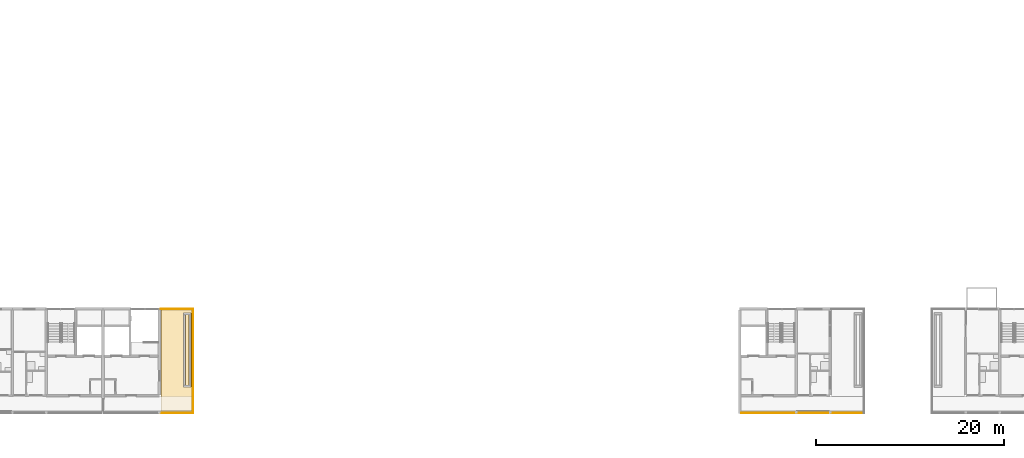
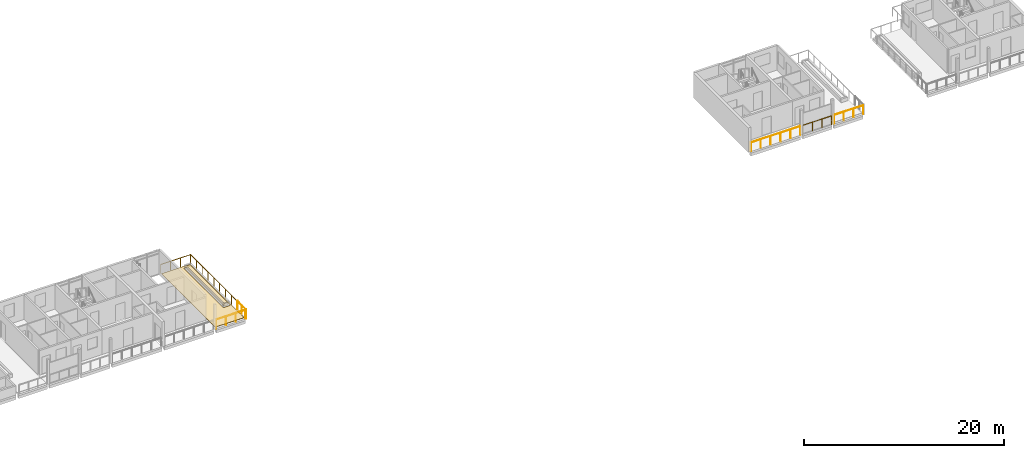
# One storey, part 34 of 41: 6 railings, 3 coverings.
"""IFC4 building model written with IfcOpenShell, lengths in metres."""

from ifc_helpers import new_model, si_unit, direction, frame, origin, origin_2d, place, context, subcontext, project, spatial, polyline, circle, outline, extrude, material, layer, layer_set, type_object, element, save


model = new_model("IFC4")

# Units and contexts
model_context = context("Model", 3, precision=1e-05, world=origin(), true_north=direction((0.0, 1.0)))
body_context = subcontext(model_context, "Body", "Model", "MODEL_VIEW")
ifc_project = project(units=[si_unit("LENGTHUNIT", "METRE"), si_unit("AREAUNIT", "SQUARE_METRE"), si_unit("VOLUMEUNIT", "CUBIC_METRE"), si_unit("PLANEANGLEUNIT", "RADIAN"), si_unit("MASSUNIT", "GRAM", prefix="KILO")], contexts=[model_context])

# Site, building, storey
site_placement = place(None, origin())
site = spatial("IfcSite", under=ifc_project, at=site_placement, CompositionType="ELEMENT")
building_placement = place(site_placement, origin())
building = spatial("IfcBuilding", under=site, at=building_placement, Name="Ridgestep Commons", CompositionType="ELEMENT")
storey_placement = place(building_placement, frame((0.0, 0.0, 39.0)))
storey = spatial("IfcBuildingStorey", under=building, at=storey_placement, Name="L13", CompositionType="ELEMENT", Elevation=39.0)

# Railings
ifc_material_1 = material(Name="Structural steel S355JR", Category="steel")
railing_type = type_object("IfcRailingType", Name="Guard 1100", PredefinedType="GUARDRAIL", material=ifc_material_1)
railing_1_placement = place(storey_placement, frame((105.5791015625, 13.571044921875, 0.0)))
element("IfcRailing", 1, at=railing_1_placement, inside=storey, type_object=railing_type, Name="Guard TD-A6R3-GD", PredefinedType="GUARDRAIL", context=body_context, shape_type="SweptSolid", body=[
    extrude(circle(Radius=0.02392578125, at=origin_2d()), frame((0.0, 0.0, 1.076171875), z_axis=(0.0, 1.0, 0.0), x_axis=(-1.0, 0.0, 0.0)), (0.0, 0.0, 1.0), 9.303955078125),
    extrude(circle(Radius=0.02392578125, at=origin_2d()), frame((0.0, 9.303955078125, 1.076171875), z_axis=(-1.0, 0.0, 0.0), x_axis=(0.0, -1.0, 0.0)), (0.0, 0.0, 1.0), 3.43310546875),
    extrude(circle(Radius=0.02099609375, at=origin_2d()), origin(), (0.0, 0.0, 1.0), 1.052001953125),
    extrude(circle(Radius=0.02099609375, at=origin_2d()), frame((0.0, 1.1630859375, 0.0)), (0.0, 0.0, 1.0), 1.052001953125),
    extrude(circle(Radius=0.02099609375, at=origin_2d()), frame((0.0, 2.325927734375, 0.0)), (0.0, 0.0, 1.0), 1.052001953125),
    extrude(circle(Radius=0.02099609375, at=origin_2d()), frame((0.0, 3.489013671875, 0.0)), (0.0, 0.0, 1.0), 1.052001953125),
    extrude(circle(Radius=0.02099609375, at=origin_2d()), frame((0.0, 4.65185546875, 0.0)), (0.0, 0.0, 1.0), 1.052001953125),
    extrude(circle(Radius=0.02099609375, at=origin_2d()), frame((0.0, 5.81494140625, 0.0)), (0.0, 0.0, 1.0), 1.052001953125),
    extrude(circle(Radius=0.02099609375, at=origin_2d()), frame((0.0, 6.97802734375, 0.0)), (0.0, 0.0, 1.0), 1.052001953125),
    extrude(circle(Radius=0.02099609375, at=origin_2d()), frame((0.0, 8.140869140625, 0.0)), (0.0, 0.0, 1.0), 1.052001953125),
    extrude(circle(Radius=0.02099609375, at=origin_2d()), frame((0.0, 9.303955078125, 0.0)), (0.0, 0.0, 1.0), 1.052001953125),
    extrude(circle(Radius=0.02099609375, at=origin_2d()), frame((-1.144287109375, 9.303955078125, 0.0)), (0.0, 0.0, 1.0), 1.052001953125),
    extrude(circle(Radius=0.02099609375, at=origin_2d()), frame((-2.288818359375, 9.303955078125, 0.0)), (0.0, 0.0, 1.0), 1.052001953125),
    extrude(circle(Radius=0.02099609375, at=origin_2d()), frame((-3.43310546875, 9.303955078125, 0.0)), (0.0, 0.0, 1.0), 1.052001953125),
])
railing_2_placement = place(storey_placement, frame((102.14599609375, 11.800048828125, 0.0)))
element("IfcRailing", 2, at=railing_2_placement, inside=storey, type_object=railing_type, Name="Gallery guard A 13.7", PredefinedType="GUARDRAIL", context=body_context, shape_type="SweptSolid", body=[
    extrude(circle(Radius=0.02392578125, at=origin_2d()), frame((0.0, 0.0, 1.076171875), z_axis=(1.0, 0.0, 0.0), x_axis=(0.0, 1.0, 0.0)), (0.0, 0.0, 1.0), 3.3701171875),
    extrude(circle(Radius=0.02099609375, at=origin_2d()), origin(), (0.0, 0.0, 1.0), 1.052001953125),
    extrude(circle(Radius=0.02099609375, at=origin_2d()), frame((1.123291015625, 0.0, 0.0)), (0.0, 0.0, 1.0), 1.052001953125),
    extrude(circle(Radius=0.02099609375, at=origin_2d()), frame((2.246826171875, 0.0, 0.0)), (0.0, 0.0, 1.0), 1.052001953125),
    extrude(circle(Radius=0.02099609375, at=origin_2d()), frame((3.3701171875, 0.0, 0.0)), (0.0, 0.0, 1.0), 1.052001953125),
])
railing_3_placement = place(storey_placement, frame((105.5791015625, 11.800048828125, 0.0)))
element("IfcRailing", 3, at=railing_3_placement, inside=storey, type_object=railing_type, Name="Gallery end guard A 13.7E", PredefinedType="GUARDRAIL", context=body_context, shape_type="SweptSolid", body=[
    extrude(circle(Radius=0.02392578125, at=origin_2d()), frame((0.0, 0.0, 1.076171875), z_axis=(0.0, 1.0, 0.0), x_axis=(-1.0, 0.0, 0.0)), (0.0, 0.0, 1.0), 1.72900390625),
    extrude(circle(Radius=0.02099609375, at=origin_2d()), origin(), (0.0, 0.0, 1.0), 1.052001953125),
    extrude(circle(Radius=0.02099609375, at=origin_2d()), frame((0.0, 0.864501953125, 0.0)), (0.0, 0.0, 1.0), 1.052001953125),
    extrude(circle(Radius=0.02099609375, at=origin_2d()), frame((0.0, 1.72900390625, 0.0)), (0.0, 0.0, 1.0), 1.052001953125),
])
railing_4_placement = place(storey_placement, frame((163.77099609375, 11.800048828125, 0.0)))
element("IfcRailing", 4, at=railing_4_placement, inside=storey, type_object=railing_type, Name="Gallery guard D 13.1", PredefinedType="GUARDRAIL", context=body_context, shape_type="SweptSolid", body=[
    extrude(circle(Radius=0.02392578125, at=origin_2d()), frame((0.0, 0.0, 1.076171875), z_axis=(1.0, 0.0, 0.0), x_axis=(0.0, 1.0, 0.0)), (0.0, 0.0, 1.0), 5.68310546875),
    extrude(circle(Radius=0.02099609375, at=origin_2d()), origin(), (0.0, 0.0, 1.0), 1.052001953125),
    extrude(circle(Radius=0.02099609375, at=origin_2d()), frame((1.13671875, 0.0, 0.0)), (0.0, 0.0, 1.0), 1.052001953125),
    extrude(circle(Radius=0.02099609375, at=origin_2d()), frame((2.273193359375, 0.0, 0.0)), (0.0, 0.0, 1.0), 1.052001953125),
    extrude(circle(Radius=0.02099609375, at=origin_2d()), frame((3.409912109375, 0.0, 0.0)), (0.0, 0.0, 1.0), 1.052001953125),
    extrude(circle(Radius=0.02099609375, at=origin_2d()), frame((4.54638671875, 0.0, 0.0)), (0.0, 0.0, 1.0), 1.052001953125),
    extrude(circle(Radius=0.02099609375, at=origin_2d()), frame((5.68310546875, 0.0, 0.0)), (0.0, 0.0, 1.0), 1.052001953125),
])
railing_5_placement = place(storey_placement, frame((169.74609375, 11.800048828125, 0.0)))
element("IfcRailing", 5, at=railing_5_placement, inside=storey, type_object=railing_type, Name="Gallery guard D 13.2", PredefinedType="GUARDRAIL", context=body_context, shape_type="SweptSolid", body=[
    extrude(circle(Radius=0.02392578125, at=origin_2d()), frame((0.0, 0.0, 1.076171875), z_axis=(1.0, 0.0, 0.0), x_axis=(0.0, 1.0, 0.0)), (0.0, 0.0, 1.0), 3.307861328125),
    extrude(circle(Radius=0.02099609375, at=origin_2d()), origin(), (0.0, 0.0, 1.0), 1.052001953125),
    extrude(circle(Radius=0.02099609375, at=origin_2d()), frame((1.1025390625, 0.0, 0.0)), (0.0, 0.0, 1.0), 1.052001953125),
    extrude(circle(Radius=0.02099609375, at=origin_2d()), frame((2.205322265625, 0.0, 0.0)), (0.0, 0.0, 1.0), 1.052001953125),
    extrude(circle(Radius=0.02099609375, at=origin_2d()), frame((3.307861328125, 0.0, 0.0)), (0.0, 0.0, 1.0), 1.052001953125),
])
railing_6_placement = place(storey_placement, frame((173.345947265625, 11.800048828125, 0.0)))
element("IfcRailing", 6, at=railing_6_placement, inside=storey, type_object=railing_type, Name="Gallery guard D 13.3", PredefinedType="GUARDRAIL", context=body_context, shape_type="SweptSolid", body=[
    extrude(circle(Radius=0.02392578125, at=origin_2d()), frame((0.0, 0.0, 1.076171875), z_axis=(1.0, 0.0, 0.0), x_axis=(0.0, 1.0, 0.0)), (0.0, 0.0, 1.0), 3.3701171875),
    extrude(circle(Radius=0.02099609375, at=origin_2d()), origin(), (0.0, 0.0, 1.0), 1.052001953125),
    extrude(circle(Radius=0.02099609375, at=origin_2d()), frame((1.123291015625, 0.0, 0.0)), (0.0, 0.0, 1.0), 1.052001953125),
    extrude(circle(Radius=0.02099609375, at=origin_2d()), frame((2.246826171875, 0.0, 0.0)), (0.0, 0.0, 1.0), 1.052001953125),
    extrude(circle(Radius=0.02099609375, at=origin_2d()), frame((3.3701171875, 0.0, 0.0)), (0.0, 0.0, 1.0), 1.052001953125),
])

# Coverings
ifc_material_2 = material(Name="Planting soil")
ifc_layer_1 = layer(ifc_material_2, 0.35009765625)
ifc_layer_set_1 = layer_set([ifc_layer_1], Name="Planting soil 350")
covering_type_1 = type_object("IfcCoveringType", Name="Planting soil 350", PredefinedType="FLOORING", material=ifc_layer_set_1)
covering_1_placement = place(storey_placement, frame((0.0, 0.0, 0.010009765625)))
element("IfcCovering", 7, at=covering_1_placement, inside=storey, type_object=covering_type_1, Name="Planting soil A6R3", PredefinedType="FLOORING", context=body_context, shape_type="SweptSolid", body=[
    extrude(outline(polyline([(104.75, 14.75), (105.14990234375, 14.75), (105.14990234375, 22.25), (104.75, 22.25), (104.75, 14.75)])), origin(), (0.0, 0.0, 1.0), 0.35009765625),
])
ifc_material_3 = material(Name="Bitumen membrane, two layer")
ifc_layer_2 = layer(ifc_material_3, 0.010009765625)
ifc_layer_set_2 = layer_set([ifc_layer_2], Name="Terrace membrane 10")
covering_type_2 = type_object("IfcCoveringType", Name="Terrace membrane 10", PredefinedType="ROOFING", material=ifc_layer_set_2)
covering_2_placement = place(storey_placement, origin())
element("IfcCovering", 8, at=covering_2_placement, inside=storey, type_object=covering_type_2, Name="Terrace membrane A6R3", PredefinedType="ROOFING", context=body_context, shape_type="SweptSolid", body=[
    extrude(outline(polyline([(105.47509765625, 12.0), (105.47509765625, 22.75), (102.14990234375, 22.75), (102.14990234375, 12.0), (105.47509765625, 12.0)]), holes=[polyline([(105.35009765625, 14.550048828125), (105.35009765625, 22.449951171875), (104.550048828125, 22.449951171875), (104.550048828125, 14.550048828125), (105.35009765625, 14.550048828125)])]), origin(), (0.0, 0.0, 1.0), 0.010009765625),
])
ifc_material_4 = material(Name="Concrete paving slab", Category="concrete")
ifc_layer_3 = layer(ifc_material_4, 0.030029296875)
ifc_layer_set_3 = layer_set([ifc_layer_3], Name="Terrace paving 30")
covering_type_3 = type_object("IfcCoveringType", Name="Terrace paving 30", PredefinedType="FLOORING", material=ifc_layer_set_3)
covering_3_placement = place(storey_placement, frame((0.0, 0.0, 0.010009765625)))
element("IfcCovering", 9, at=covering_3_placement, inside=storey, type_object=covering_type_3, Name="Terrace paving A6R3", PredefinedType="FLOORING", context=body_context, shape_type="SweptSolid", body=[
    extrude(outline(polyline([(105.47509765625, 12.0), (105.47509765625, 22.75), (102.14990234375, 22.75), (102.14990234375, 12.0), (105.47509765625, 12.0)]), holes=[polyline([(105.35009765625, 14.550048828125), (105.35009765625, 22.449951171875), (104.550048828125, 22.449951171875), (104.550048828125, 14.550048828125), (105.35009765625, 14.550048828125)])]), origin(), (0.0, 0.0, 1.0), 0.030029296875),
])

save(model, "model.ifc")
